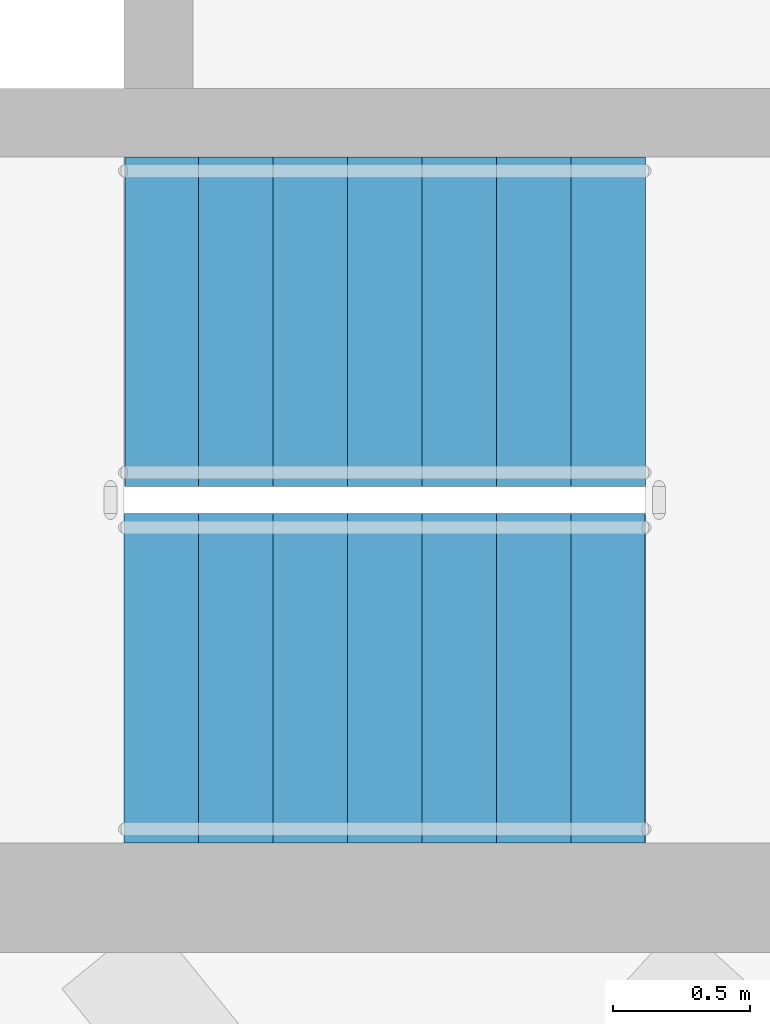
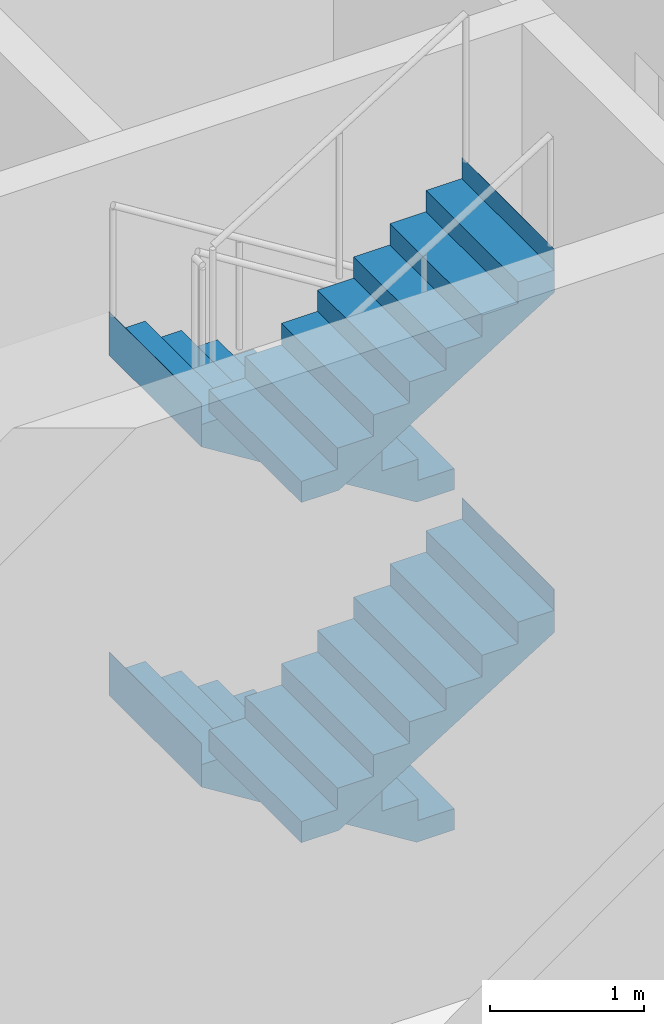
# One storey, part 9 of 16: 4 stair flights, 1 element without a shape of its own.
"""IFC4 building model written with IfcOpenShell, lengths in metres."""

from ifc_helpers import new_model, si_unit, direction, frame, origin, place, context, subcontext, project, spatial, triangles, material, type_object, element, aggregate, save


model = new_model("IFC4")

# Units and contexts
model_context = context("Model", 3, precision=1e-05, world=origin(), true_north=direction((0.0, 1.0)))
body_context = subcontext(model_context, "Body", "Model", "MODEL_VIEW")
ifc_project = project(units=[si_unit("LENGTHUNIT", "METRE"), si_unit("AREAUNIT", "SQUARE_METRE"), si_unit("VOLUMEUNIT", "CUBIC_METRE"), si_unit("PLANEANGLEUNIT", "RADIAN"), si_unit("MASSUNIT", "GRAM", prefix="KILO")], contexts=[model_context])

# Site, building, storey
site_placement = place(None, origin())
site = spatial("IfcSite", under=ifc_project, at=site_placement, CompositionType="ELEMENT")
building_placement = place(site_placement, origin())
building = spatial("IfcBuilding", under=site, at=building_placement, Name="Sahrelin Media Tower", CompositionType="ELEMENT")
storey_placement = place(building_placement, frame((0.0, 0.0, 299.0)))
storey = spatial("IfcBuildingStorey", under=building, at=storey_placement, Name="L66", CompositionType="ELEMENT", Elevation=299.0)

# Stair, stair flights
ifc_material = material(Name="Concrete C40/50", Category="concrete")
stair_type = type_object("IfcStairType", Name="Exit stair 1200", PredefinedType="HALF_TURN_STAIR", material=ifc_material)
stair_placement = place(storey_placement, origin())
stair = element("IfcStair", 1, at=stair_placement, inside=storey, type_object=stair_type, Name="L66 Exit stair ST2", PredefinedType="HALF_TURN_STAIR")
stair_flight_type = type_object("IfcStairFlightType", Name="Stair flight 1200", PredefinedType="STRAIGHT", material=ifc_material)
stair_flight_1_placement = place(storey_placement, frame((7.675048828125, -4.699951171875, 0.0), z_axis=(0.0, 0.0, 1.0), x_axis=(-1.0, 0.0, 0.0)))
stair_flight_1 = element("IfcStairFlight", 2, at=stair_flight_1_placement, type_object=stair_flight_type, Name="ST2 flight 1", NumberOfRisers=8, NumberOfTreads=7, PredefinedType="STRAIGHT", RiserHeight=0.16875, TreadLength=0.271428571, context=body_context, shape_type="Tessellation", body=[
    triangles([(0.283935546875, 0.60009765625, 0.0), (0.283935546875, 0.300048828125, 0.0), (0.283935546875, 0.0, 0.0), (0.283935546875, -0.300048828125, 0.0), (0.283935546875, -0.60009765625, 0.0), (1.89990234375, 0.60009765625, 1.004638671875), (1.89990234375, 0.300048828125, 1.004638671875), (1.89990234375, 0.0, 1.004638671875), (1.89990234375, -0.300048828125, 1.004638671875), (1.89990234375, -0.60009765625, 1.004638671875), (1.89990234375, 0.60009765625, 1.35009765625), (1.89990234375, 0.300048828125, 1.35009765625), (1.89990234375, 0.0, 1.35009765625), (1.89990234375, -0.300048828125, 1.35009765625), (1.89990234375, -0.60009765625, 1.35009765625), (1.89794921875, 0.60009765625, 1.35009765625), (1.89794921875, 0.300048828125, 1.35009765625), (1.89794921875, 0.0, 1.35009765625), (1.89794921875, -0.300048828125, 1.35009765625), (1.89794921875, -0.60009765625, 1.35009765625), (1.89794921875, 0.60009765625, 1.18115234375), (1.89794921875, 0.300048828125, 1.18115234375), (1.89794921875, 0.0, 1.18115234375), (1.89794921875, -0.300048828125, 1.18115234375), (1.89794921875, -0.60009765625, 1.18115234375), (1.628662109375, 0.60009765625, 1.18115234375), (1.628662109375, 0.300048828125, 1.18115234375), (1.628662109375, 0.0, 1.18115234375), (1.628662109375, -0.300048828125, 1.18115234375), (1.628662109375, -0.60009765625, 1.18115234375), (1.628662109375, 0.60009765625, 1.012451171875), (1.628662109375, 0.300048828125, 1.012451171875), (1.628662109375, 0.0, 1.012451171875), (1.628662109375, -0.300048828125, 1.012451171875), (1.628662109375, -0.60009765625, 1.012451171875), (1.357177734375, 0.60009765625, 1.012451171875), (1.357177734375, 0.300048828125, 1.012451171875), (1.357177734375, 0.0, 1.012451171875), (1.357177734375, -0.300048828125, 1.012451171875), (1.357177734375, -0.60009765625, 1.012451171875), (1.357177734375, 0.60009765625, 0.84375), (1.357177734375, 0.300048828125, 0.84375), (1.357177734375, 0.0, 0.84375), (1.357177734375, -0.300048828125, 0.84375), (1.357177734375, -0.60009765625, 0.84375), (1.085693359375, 0.60009765625, 0.84375), (1.085693359375, 0.300048828125, 0.84375), (1.085693359375, 0.0, 0.84375), (1.085693359375, -0.300048828125, 0.84375), (1.085693359375, -0.60009765625, 0.84375), (1.085693359375, 0.60009765625, 0.675048828125), (1.085693359375, 0.300048828125, 0.675048828125), (1.085693359375, 0.0, 0.675048828125), (1.085693359375, -0.300048828125, 0.675048828125), (1.085693359375, -0.60009765625, 0.675048828125), (0.814208984375, 0.60009765625, 0.675048828125), (0.814208984375, 0.300048828125, 0.675048828125), (0.814208984375, 0.0, 0.675048828125), (0.814208984375, -0.300048828125, 0.675048828125), (0.814208984375, -0.60009765625, 0.675048828125), (0.814208984375, 0.60009765625, 0.50634765625), (0.814208984375, 0.300048828125, 0.50634765625), (0.814208984375, 0.0, 0.50634765625), (0.814208984375, -0.300048828125, 0.50634765625), (0.814208984375, -0.60009765625, 0.50634765625), (0.54296875, 0.60009765625, 0.50634765625), (0.54296875, 0.300048828125, 0.50634765625), (0.54296875, 0.0, 0.50634765625), (0.54296875, -0.300048828125, 0.50634765625), (0.54296875, -0.60009765625, 0.50634765625), (0.54296875, 0.60009765625, 0.33740234375), (0.54296875, 0.300048828125, 0.33740234375), (0.54296875, 0.0, 0.33740234375), (0.54296875, -0.300048828125, 0.33740234375), (0.54296875, -0.60009765625, 0.33740234375), (0.271484375, 0.60009765625, 0.33740234375), (0.271484375, 0.300048828125, 0.33740234375), (0.271484375, 0.0, 0.33740234375), (0.271484375, -0.300048828125, 0.33740234375), (0.271484375, -0.60009765625, 0.33740234375), (0.271484375, 0.60009765625, 0.168701171875), (0.271484375, 0.300048828125, 0.168701171875), (0.271484375, 0.0, 0.168701171875), (0.271484375, -0.300048828125, 0.168701171875), (0.271484375, -0.60009765625, 0.168701171875), (0.0, 0.60009765625, 0.168701171875), (0.0, 0.300048828125, 0.168701171875), (0.0, 0.0, 0.168701171875), (0.0, -0.300048828125, 0.168701171875), (0.0, -0.60009765625, 0.168701171875), (0.0, 0.60009765625, 0.0), (0.0, 0.300048828125, 0.0), (0.0, 0.0, 0.0), (0.0, -0.300048828125, 0.0), (0.0, -0.60009765625, 0.0)], [[1, 6, 7], [1, 7, 2], [2, 7, 8], [2, 8, 3], [3, 8, 9], [3, 9, 4], [4, 9, 10], [4, 10, 5], [6, 11, 12], [6, 12, 7], [7, 12, 13], [7, 13, 8], [8, 13, 14], [8, 14, 9], [9, 14, 15], [9, 15, 10], [11, 16, 17], [11, 17, 12], [12, 17, 18], [12, 18, 13], [13, 18, 19], [13, 19, 14], [14, 19, 20], [14, 20, 15], [16, 21, 22], [16, 22, 17], [17, 22, 23], [17, 23, 18], [18, 23, 24], [18, 24, 19], [19, 24, 25], [19, 25, 20], [21, 26, 27], [21, 27, 22], [22, 27, 28], [22, 28, 23], [23, 28, 29], [23, 29, 24], [24, 29, 30], [24, 30, 25], [26, 31, 32], [26, 32, 27], [27, 32, 33], [27, 33, 28], [28, 33, 34], [28, 34, 29], [29, 34, 35], [29, 35, 30], [31, 36, 37], [31, 37, 32], [32, 37, 38], [32, 38, 33], [33, 38, 39], [33, 39, 34], [34, 39, 40], [34, 40, 35], [36, 41, 42], [36, 42, 37], [37, 42, 43], [37, 43, 38], [38, 43, 44], [38, 44, 39], [39, 44, 45], [39, 45, 40], [41, 46, 47], [41, 47, 42], [42, 47, 48], [42, 48, 43], [43, 48, 49], [43, 49, 44], [44, 49, 50], [44, 50, 45], [46, 51, 52], [46, 52, 47], [47, 52, 53], [47, 53, 48], [48, 53, 54], [48, 54, 49], [49, 54, 55], [49, 55, 50], [51, 56, 57], [51, 57, 52], [52, 57, 58], [52, 58, 53], [53, 58, 59], [53, 59, 54], [54, 59, 60], [54, 60, 55], [56, 61, 62], [56, 62, 57], [57, 62, 63], [57, 63, 58], [58, 63, 64], [58, 64, 59], [59, 64, 65], [59, 65, 60], [61, 66, 67], [61, 67, 62], [62, 67, 68], [62, 68, 63], [63, 68, 69], [63, 69, 64], [64, 69, 70], [64, 70, 65], [66, 71, 72], [66, 72, 67], [67, 72, 73], [67, 73, 68], [68, 73, 74], [68, 74, 69], [69, 74, 75], [69, 75, 70], [71, 76, 77], [71, 77, 72], [72, 77, 78], [72, 78, 73], [73, 78, 79], [73, 79, 74], [74, 79, 80], [74, 80, 75], [76, 81, 82], [76, 82, 77], [77, 82, 83], [77, 83, 78], [78, 83, 84], [78, 84, 79], [79, 84, 85], [79, 85, 80], [81, 86, 87], [81, 87, 82], [82, 87, 88], [82, 88, 83], [83, 88, 89], [83, 89, 84], [84, 89, 90], [84, 90, 85], [86, 91, 92], [86, 92, 87], [87, 92, 93], [87, 93, 88], [88, 93, 94], [88, 94, 89], [89, 94, 95], [89, 95, 90], [91, 1, 2], [91, 2, 92], [92, 2, 3], [92, 3, 93], [93, 3, 4], [93, 4, 94], [94, 4, 5], [94, 5, 95], [85, 90, 95], [81, 91, 86], [85, 75, 80], [81, 76, 71], [75, 65, 70], [71, 66, 61], [65, 55, 60], [61, 56, 51], [55, 45, 50], [51, 46, 41], [45, 35, 40], [41, 36, 31], [35, 25, 30], [31, 26, 21], [25, 15, 20], [21, 16, 11], [95, 5, 85], [91, 81, 1], [5, 55, 65], [1, 61, 51], [25, 10, 15], [21, 11, 6], [75, 85, 5], [71, 1, 81], [10, 45, 55], [6, 51, 41], [35, 10, 25], [31, 21, 6], [65, 75, 5], [61, 1, 71], [45, 10, 35], [41, 31, 6], [5, 10, 55], [1, 51, 6]], closed=True),
])
stair_flight_2_placement = place(storey_placement, frame((5.77490234375, -6.0, 1.35009765625), z_axis=(0.0, 0.0, 1.0), x_axis=(1.0, 0.0, 0.0)))
stair_flight_2 = element("IfcStairFlight", 3, at=stair_flight_2_placement, type_object=stair_flight_type, Name="ST2 flight 2", NumberOfRisers=8, NumberOfTreads=7, PredefinedType="STRAIGHT", RiserHeight=0.16875, TreadLength=0.271428571, context=body_context, shape_type="Tessellation", body=[
    triangles([(0.283935546875, 0.60009765625, 0.0), (0.283935546875, 0.300048828125, 0.0), (0.283935546875, 0.0, 0.0), (0.283935546875, -0.300048828125, 0.0), (0.283935546875, -0.60009765625, 0.0), (1.89990234375, 0.60009765625, 1.004638671875), (1.89990234375, 0.300048828125, 1.004638671875), (1.89990234375, 0.0, 1.004638671875), (1.89990234375, -0.300048828125, 1.004638671875), (1.89990234375, -0.60009765625, 1.004638671875), (1.89990234375, 0.60009765625, 1.35009765625), (1.89990234375, 0.300048828125, 1.35009765625), (1.89990234375, 0.0, 1.35009765625), (1.89990234375, -0.300048828125, 1.35009765625), (1.89990234375, -0.60009765625, 1.35009765625), (1.89794921875, 0.60009765625, 1.35009765625), (1.89794921875, 0.300048828125, 1.35009765625), (1.89794921875, 0.0, 1.35009765625), (1.89794921875, -0.300048828125, 1.35009765625), (1.89794921875, -0.60009765625, 1.35009765625), (1.89794921875, 0.60009765625, 1.18115234375), (1.89794921875, 0.300048828125, 1.18115234375), (1.89794921875, 0.0, 1.18115234375), (1.89794921875, -0.300048828125, 1.18115234375), (1.89794921875, -0.60009765625, 1.18115234375), (1.628662109375, 0.60009765625, 1.18115234375), (1.628662109375, 0.300048828125, 1.18115234375), (1.628662109375, 0.0, 1.18115234375), (1.628662109375, -0.300048828125, 1.18115234375), (1.628662109375, -0.60009765625, 1.18115234375), (1.628662109375, 0.60009765625, 1.012451171875), (1.628662109375, 0.300048828125, 1.012451171875), (1.628662109375, 0.0, 1.012451171875), (1.628662109375, -0.300048828125, 1.012451171875), (1.628662109375, -0.60009765625, 1.012451171875), (1.357177734375, 0.60009765625, 1.012451171875), (1.357177734375, 0.300048828125, 1.012451171875), (1.357177734375, 0.0, 1.012451171875), (1.357177734375, -0.300048828125, 1.012451171875), (1.357177734375, -0.60009765625, 1.012451171875), (1.357177734375, 0.60009765625, 0.84375), (1.357177734375, 0.300048828125, 0.84375), (1.357177734375, 0.0, 0.84375), (1.357177734375, -0.300048828125, 0.84375), (1.357177734375, -0.60009765625, 0.84375), (1.085693359375, 0.60009765625, 0.84375), (1.085693359375, 0.300048828125, 0.84375), (1.085693359375, 0.0, 0.84375), (1.085693359375, -0.300048828125, 0.84375), (1.085693359375, -0.60009765625, 0.84375), (1.085693359375, 0.60009765625, 0.675048828125), (1.085693359375, 0.300048828125, 0.675048828125), (1.085693359375, 0.0, 0.675048828125), (1.085693359375, -0.300048828125, 0.675048828125), (1.085693359375, -0.60009765625, 0.675048828125), (0.814208984375, 0.60009765625, 0.675048828125), (0.814208984375, 0.300048828125, 0.675048828125), (0.814208984375, 0.0, 0.675048828125), (0.814208984375, -0.300048828125, 0.675048828125), (0.814208984375, -0.60009765625, 0.675048828125), (0.814208984375, 0.60009765625, 0.50634765625), (0.814208984375, 0.300048828125, 0.50634765625), (0.814208984375, 0.0, 0.50634765625), (0.814208984375, -0.300048828125, 0.50634765625), (0.814208984375, -0.60009765625, 0.50634765625), (0.54296875, 0.60009765625, 0.50634765625), (0.54296875, 0.300048828125, 0.50634765625), (0.54296875, 0.0, 0.50634765625), (0.54296875, -0.300048828125, 0.50634765625), (0.54296875, -0.60009765625, 0.50634765625), (0.54296875, 0.60009765625, 0.33740234375), (0.54296875, 0.300048828125, 0.33740234375), (0.54296875, 0.0, 0.33740234375), (0.54296875, -0.300048828125, 0.33740234375), (0.54296875, -0.60009765625, 0.33740234375), (0.271484375, 0.60009765625, 0.33740234375), (0.271484375, 0.300048828125, 0.33740234375), (0.271484375, 0.0, 0.33740234375), (0.271484375, -0.300048828125, 0.33740234375), (0.271484375, -0.60009765625, 0.33740234375), (0.271484375, 0.60009765625, 0.168701171875), (0.271484375, 0.300048828125, 0.168701171875), (0.271484375, 0.0, 0.168701171875), (0.271484375, -0.300048828125, 0.168701171875), (0.271484375, -0.60009765625, 0.168701171875), (0.0, 0.60009765625, 0.168701171875), (0.0, 0.300048828125, 0.168701171875), (0.0, 0.0, 0.168701171875), (0.0, -0.300048828125, 0.168701171875), (0.0, -0.60009765625, 0.168701171875), (0.0, 0.60009765625, 0.0), (0.0, 0.300048828125, 0.0), (0.0, 0.0, 0.0), (0.0, -0.300048828125, 0.0), (0.0, -0.60009765625, 0.0)], [[1, 6, 7], [1, 7, 2], [2, 7, 8], [2, 8, 3], [3, 8, 9], [3, 9, 4], [4, 9, 10], [4, 10, 5], [6, 11, 12], [6, 12, 7], [7, 12, 13], [7, 13, 8], [8, 13, 14], [8, 14, 9], [9, 14, 15], [9, 15, 10], [11, 16, 17], [11, 17, 12], [12, 17, 18], [12, 18, 13], [13, 18, 19], [13, 19, 14], [14, 19, 20], [14, 20, 15], [16, 21, 22], [16, 22, 17], [17, 22, 23], [17, 23, 18], [18, 23, 24], [18, 24, 19], [19, 24, 25], [19, 25, 20], [21, 26, 27], [21, 27, 22], [22, 27, 28], [22, 28, 23], [23, 28, 29], [23, 29, 24], [24, 29, 30], [24, 30, 25], [26, 31, 32], [26, 32, 27], [27, 32, 33], [27, 33, 28], [28, 33, 34], [28, 34, 29], [29, 34, 35], [29, 35, 30], [31, 36, 37], [31, 37, 32], [32, 37, 38], [32, 38, 33], [33, 38, 39], [33, 39, 34], [34, 39, 40], [34, 40, 35], [36, 41, 42], [36, 42, 37], [37, 42, 43], [37, 43, 38], [38, 43, 44], [38, 44, 39], [39, 44, 45], [39, 45, 40], [41, 46, 47], [41, 47, 42], [42, 47, 48], [42, 48, 43], [43, 48, 49], [43, 49, 44], [44, 49, 50], [44, 50, 45], [46, 51, 52], [46, 52, 47], [47, 52, 53], [47, 53, 48], [48, 53, 54], [48, 54, 49], [49, 54, 55], [49, 55, 50], [51, 56, 57], [51, 57, 52], [52, 57, 58], [52, 58, 53], [53, 58, 59], [53, 59, 54], [54, 59, 60], [54, 60, 55], [56, 61, 62], [56, 62, 57], [57, 62, 63], [57, 63, 58], [58, 63, 64], [58, 64, 59], [59, 64, 65], [59, 65, 60], [61, 66, 67], [61, 67, 62], [62, 67, 68], [62, 68, 63], [63, 68, 69], [63, 69, 64], [64, 69, 70], [64, 70, 65], [66, 71, 72], [66, 72, 67], [67, 72, 73], [67, 73, 68], [68, 73, 74], [68, 74, 69], [69, 74, 75], [69, 75, 70], [71, 76, 77], [71, 77, 72], [72, 77, 78], [72, 78, 73], [73, 78, 79], [73, 79, 74], [74, 79, 80], [74, 80, 75], [76, 81, 82], [76, 82, 77], [77, 82, 83], [77, 83, 78], [78, 83, 84], [78, 84, 79], [79, 84, 85], [79, 85, 80], [81, 86, 87], [81, 87, 82], [82, 87, 88], [82, 88, 83], [83, 88, 89], [83, 89, 84], [84, 89, 90], [84, 90, 85], [86, 91, 92], [86, 92, 87], [87, 92, 93], [87, 93, 88], [88, 93, 94], [88, 94, 89], [89, 94, 95], [89, 95, 90], [91, 1, 2], [91, 2, 92], [92, 2, 3], [92, 3, 93], [93, 3, 4], [93, 4, 94], [94, 4, 5], [94, 5, 95], [85, 90, 95], [81, 91, 86], [85, 75, 80], [81, 76, 71], [75, 65, 70], [71, 66, 61], [65, 55, 60], [61, 56, 51], [55, 45, 50], [51, 46, 41], [45, 35, 40], [41, 36, 31], [35, 25, 30], [31, 26, 21], [25, 15, 20], [21, 16, 11], [95, 5, 85], [91, 81, 1], [5, 55, 65], [1, 61, 51], [25, 10, 15], [21, 11, 6], [75, 85, 5], [71, 1, 81], [10, 45, 55], [6, 51, 41], [35, 10, 25], [31, 21, 6], [65, 75, 5], [61, 1, 71], [45, 10, 35], [41, 31, 6], [5, 10, 55], [1, 51, 6]], closed=True),
])
stair_flight_3_placement = place(storey_placement, frame((7.675048828125, -4.699951171875, 2.699951171875), z_axis=(0.0, 0.0, 1.0), x_axis=(-1.0, 0.0, 0.0)))
stair_flight_3 = element("IfcStairFlight", 4, at=stair_flight_3_placement, type_object=stair_flight_type, Name="ST2 flight 3", NumberOfRisers=8, NumberOfTreads=7, PredefinedType="STRAIGHT", RiserHeight=0.16875, TreadLength=0.271428571, context=body_context, shape_type="Tessellation", body=[
    triangles([(0.283935546875, 0.60009765625, 0.0), (0.283935546875, 0.300048828125, 0.0), (0.283935546875, 0.0, 0.0), (0.283935546875, -0.300048828125, 0.0), (0.283935546875, -0.60009765625, 0.0), (1.89990234375, 0.60009765625, 1.004638671875), (1.89990234375, 0.300048828125, 1.004638671875), (1.89990234375, 0.0, 1.004638671875), (1.89990234375, -0.300048828125, 1.004638671875), (1.89990234375, -0.60009765625, 1.004638671875), (1.89990234375, 0.60009765625, 1.35009765625), (1.89990234375, 0.300048828125, 1.35009765625), (1.89990234375, 0.0, 1.35009765625), (1.89990234375, -0.300048828125, 1.35009765625), (1.89990234375, -0.60009765625, 1.35009765625), (1.89794921875, 0.60009765625, 1.35009765625), (1.89794921875, 0.300048828125, 1.35009765625), (1.89794921875, 0.0, 1.35009765625), (1.89794921875, -0.300048828125, 1.35009765625), (1.89794921875, -0.60009765625, 1.35009765625), (1.89794921875, 0.60009765625, 1.18115234375), (1.89794921875, 0.300048828125, 1.18115234375), (1.89794921875, 0.0, 1.18115234375), (1.89794921875, -0.300048828125, 1.18115234375), (1.89794921875, -0.60009765625, 1.18115234375), (1.628662109375, 0.60009765625, 1.18115234375), (1.628662109375, 0.300048828125, 1.18115234375), (1.628662109375, 0.0, 1.18115234375), (1.628662109375, -0.300048828125, 1.18115234375), (1.628662109375, -0.60009765625, 1.18115234375), (1.628662109375, 0.60009765625, 1.012451171875), (1.628662109375, 0.300048828125, 1.012451171875), (1.628662109375, 0.0, 1.012451171875), (1.628662109375, -0.300048828125, 1.012451171875), (1.628662109375, -0.60009765625, 1.012451171875), (1.357177734375, 0.60009765625, 1.012451171875), (1.357177734375, 0.300048828125, 1.012451171875), (1.357177734375, 0.0, 1.012451171875), (1.357177734375, -0.300048828125, 1.012451171875), (1.357177734375, -0.60009765625, 1.012451171875), (1.357177734375, 0.60009765625, 0.84375), (1.357177734375, 0.300048828125, 0.84375), (1.357177734375, 0.0, 0.84375), (1.357177734375, -0.300048828125, 0.84375), (1.357177734375, -0.60009765625, 0.84375), (1.085693359375, 0.60009765625, 0.84375), (1.085693359375, 0.300048828125, 0.84375), (1.085693359375, 0.0, 0.84375), (1.085693359375, -0.300048828125, 0.84375), (1.085693359375, -0.60009765625, 0.84375), (1.085693359375, 0.60009765625, 0.675048828125), (1.085693359375, 0.300048828125, 0.675048828125), (1.085693359375, 0.0, 0.675048828125), (1.085693359375, -0.300048828125, 0.675048828125), (1.085693359375, -0.60009765625, 0.675048828125), (0.814208984375, 0.60009765625, 0.675048828125), (0.814208984375, 0.300048828125, 0.675048828125), (0.814208984375, 0.0, 0.675048828125), (0.814208984375, -0.300048828125, 0.675048828125), (0.814208984375, -0.60009765625, 0.675048828125), (0.814208984375, 0.60009765625, 0.50634765625), (0.814208984375, 0.300048828125, 0.50634765625), (0.814208984375, 0.0, 0.50634765625), (0.814208984375, -0.300048828125, 0.50634765625), (0.814208984375, -0.60009765625, 0.50634765625), (0.54296875, 0.60009765625, 0.50634765625), (0.54296875, 0.300048828125, 0.50634765625), (0.54296875, 0.0, 0.50634765625), (0.54296875, -0.300048828125, 0.50634765625), (0.54296875, -0.60009765625, 0.50634765625), (0.54296875, 0.60009765625, 0.33740234375), (0.54296875, 0.300048828125, 0.33740234375), (0.54296875, 0.0, 0.33740234375), (0.54296875, -0.300048828125, 0.33740234375), (0.54296875, -0.60009765625, 0.33740234375), (0.271484375, 0.60009765625, 0.33740234375), (0.271484375, 0.300048828125, 0.33740234375), (0.271484375, 0.0, 0.33740234375), (0.271484375, -0.300048828125, 0.33740234375), (0.271484375, -0.60009765625, 0.33740234375), (0.271484375, 0.60009765625, 0.168701171875), (0.271484375, 0.300048828125, 0.168701171875), (0.271484375, 0.0, 0.168701171875), (0.271484375, -0.300048828125, 0.168701171875), (0.271484375, -0.60009765625, 0.168701171875), (0.0, 0.60009765625, 0.168701171875), (0.0, 0.300048828125, 0.168701171875), (0.0, 0.0, 0.168701171875), (0.0, -0.300048828125, 0.168701171875), (0.0, -0.60009765625, 0.168701171875), (0.0, 0.60009765625, 0.0), (0.0, 0.300048828125, 0.0), (0.0, 0.0, 0.0), (0.0, -0.300048828125, 0.0), (0.0, -0.60009765625, 0.0)], [[1, 6, 7], [1, 7, 2], [2, 7, 8], [2, 8, 3], [3, 8, 9], [3, 9, 4], [4, 9, 10], [4, 10, 5], [6, 11, 12], [6, 12, 7], [7, 12, 13], [7, 13, 8], [8, 13, 14], [8, 14, 9], [9, 14, 15], [9, 15, 10], [11, 16, 17], [11, 17, 12], [12, 17, 18], [12, 18, 13], [13, 18, 19], [13, 19, 14], [14, 19, 20], [14, 20, 15], [16, 21, 22], [16, 22, 17], [17, 22, 23], [17, 23, 18], [18, 23, 24], [18, 24, 19], [19, 24, 25], [19, 25, 20], [21, 26, 27], [21, 27, 22], [22, 27, 28], [22, 28, 23], [23, 28, 29], [23, 29, 24], [24, 29, 30], [24, 30, 25], [26, 31, 32], [26, 32, 27], [27, 32, 33], [27, 33, 28], [28, 33, 34], [28, 34, 29], [29, 34, 35], [29, 35, 30], [31, 36, 37], [31, 37, 32], [32, 37, 38], [32, 38, 33], [33, 38, 39], [33, 39, 34], [34, 39, 40], [34, 40, 35], [36, 41, 42], [36, 42, 37], [37, 42, 43], [37, 43, 38], [38, 43, 44], [38, 44, 39], [39, 44, 45], [39, 45, 40], [41, 46, 47], [41, 47, 42], [42, 47, 48], [42, 48, 43], [43, 48, 49], [43, 49, 44], [44, 49, 50], [44, 50, 45], [46, 51, 52], [46, 52, 47], [47, 52, 53], [47, 53, 48], [48, 53, 54], [48, 54, 49], [49, 54, 55], [49, 55, 50], [51, 56, 57], [51, 57, 52], [52, 57, 58], [52, 58, 53], [53, 58, 59], [53, 59, 54], [54, 59, 60], [54, 60, 55], [56, 61, 62], [56, 62, 57], [57, 62, 63], [57, 63, 58], [58, 63, 64], [58, 64, 59], [59, 64, 65], [59, 65, 60], [61, 66, 67], [61, 67, 62], [62, 67, 68], [62, 68, 63], [63, 68, 69], [63, 69, 64], [64, 69, 70], [64, 70, 65], [66, 71, 72], [66, 72, 67], [67, 72, 73], [67, 73, 68], [68, 73, 74], [68, 74, 69], [69, 74, 75], [69, 75, 70], [71, 76, 77], [71, 77, 72], [72, 77, 78], [72, 78, 73], [73, 78, 79], [73, 79, 74], [74, 79, 80], [74, 80, 75], [76, 81, 82], [76, 82, 77], [77, 82, 83], [77, 83, 78], [78, 83, 84], [78, 84, 79], [79, 84, 85], [79, 85, 80], [81, 86, 87], [81, 87, 82], [82, 87, 88], [82, 88, 83], [83, 88, 89], [83, 89, 84], [84, 89, 90], [84, 90, 85], [86, 91, 92], [86, 92, 87], [87, 92, 93], [87, 93, 88], [88, 93, 94], [88, 94, 89], [89, 94, 95], [89, 95, 90], [91, 1, 2], [91, 2, 92], [92, 2, 3], [92, 3, 93], [93, 3, 4], [93, 4, 94], [94, 4, 5], [94, 5, 95], [85, 90, 95], [81, 91, 86], [85, 75, 80], [81, 76, 71], [75, 65, 70], [71, 66, 61], [65, 55, 60], [61, 56, 51], [55, 45, 50], [51, 46, 41], [45, 35, 40], [41, 36, 31], [35, 25, 30], [31, 26, 21], [25, 15, 20], [21, 16, 11], [95, 5, 85], [91, 81, 1], [5, 55, 65], [1, 61, 51], [25, 10, 15], [21, 11, 6], [75, 85, 5], [71, 1, 81], [10, 45, 55], [6, 51, 41], [35, 10, 25], [31, 21, 6], [65, 75, 5], [61, 1, 71], [45, 10, 35], [41, 31, 6], [5, 10, 55], [1, 51, 6]], closed=True),
])
stair_flight_4_placement = place(storey_placement, frame((5.77490234375, -6.0, 4.050048828125), z_axis=(0.0, 0.0, 1.0), x_axis=(1.0, 0.0, 0.0)))
stair_flight_4 = element("IfcStairFlight", 5, at=stair_flight_4_placement, type_object=stair_flight_type, Name="ST2 flight 4", NumberOfRisers=8, NumberOfTreads=7, PredefinedType="STRAIGHT", RiserHeight=0.16875, TreadLength=0.271428571, context=body_context, shape_type="Tessellation", body=[
    triangles([(0.283935546875, 0.60009765625, 0.0), (0.283935546875, 0.300048828125, 0.0), (0.283935546875, 0.0, 0.0), (0.283935546875, -0.300048828125, 0.0), (0.283935546875, -0.60009765625, 0.0), (1.89990234375, 0.60009765625, 1.004638671875), (1.89990234375, 0.300048828125, 1.004638671875), (1.89990234375, 0.0, 1.004638671875), (1.89990234375, -0.300048828125, 1.004638671875), (1.89990234375, -0.60009765625, 1.004638671875), (1.89990234375, 0.60009765625, 1.35009765625), (1.89990234375, 0.300048828125, 1.35009765625), (1.89990234375, 0.0, 1.35009765625), (1.89990234375, -0.300048828125, 1.35009765625), (1.89990234375, -0.60009765625, 1.35009765625), (1.89794921875, 0.60009765625, 1.35009765625), (1.89794921875, 0.300048828125, 1.35009765625), (1.89794921875, 0.0, 1.35009765625), (1.89794921875, -0.300048828125, 1.35009765625), (1.89794921875, -0.60009765625, 1.35009765625), (1.89794921875, 0.60009765625, 1.18115234375), (1.89794921875, 0.300048828125, 1.18115234375), (1.89794921875, 0.0, 1.18115234375), (1.89794921875, -0.300048828125, 1.18115234375), (1.89794921875, -0.60009765625, 1.18115234375), (1.628662109375, 0.60009765625, 1.18115234375), (1.628662109375, 0.300048828125, 1.18115234375), (1.628662109375, 0.0, 1.18115234375), (1.628662109375, -0.300048828125, 1.18115234375), (1.628662109375, -0.60009765625, 1.18115234375), (1.628662109375, 0.60009765625, 1.012451171875), (1.628662109375, 0.300048828125, 1.012451171875), (1.628662109375, 0.0, 1.012451171875), (1.628662109375, -0.300048828125, 1.012451171875), (1.628662109375, -0.60009765625, 1.012451171875), (1.357177734375, 0.60009765625, 1.012451171875), (1.357177734375, 0.300048828125, 1.012451171875), (1.357177734375, 0.0, 1.012451171875), (1.357177734375, -0.300048828125, 1.012451171875), (1.357177734375, -0.60009765625, 1.012451171875), (1.357177734375, 0.60009765625, 0.84375), (1.357177734375, 0.300048828125, 0.84375), (1.357177734375, 0.0, 0.84375), (1.357177734375, -0.300048828125, 0.84375), (1.357177734375, -0.60009765625, 0.84375), (1.085693359375, 0.60009765625, 0.84375), (1.085693359375, 0.300048828125, 0.84375), (1.085693359375, 0.0, 0.84375), (1.085693359375, -0.300048828125, 0.84375), (1.085693359375, -0.60009765625, 0.84375), (1.085693359375, 0.60009765625, 0.675048828125), (1.085693359375, 0.300048828125, 0.675048828125), (1.085693359375, 0.0, 0.675048828125), (1.085693359375, -0.300048828125, 0.675048828125), (1.085693359375, -0.60009765625, 0.675048828125), (0.814208984375, 0.60009765625, 0.675048828125), (0.814208984375, 0.300048828125, 0.675048828125), (0.814208984375, 0.0, 0.675048828125), (0.814208984375, -0.300048828125, 0.675048828125), (0.814208984375, -0.60009765625, 0.675048828125), (0.814208984375, 0.60009765625, 0.50634765625), (0.814208984375, 0.300048828125, 0.50634765625), (0.814208984375, 0.0, 0.50634765625), (0.814208984375, -0.300048828125, 0.50634765625), (0.814208984375, -0.60009765625, 0.50634765625), (0.54296875, 0.60009765625, 0.50634765625), (0.54296875, 0.300048828125, 0.50634765625), (0.54296875, 0.0, 0.50634765625), (0.54296875, -0.300048828125, 0.50634765625), (0.54296875, -0.60009765625, 0.50634765625), (0.54296875, 0.60009765625, 0.33740234375), (0.54296875, 0.300048828125, 0.33740234375), (0.54296875, 0.0, 0.33740234375), (0.54296875, -0.300048828125, 0.33740234375), (0.54296875, -0.60009765625, 0.33740234375), (0.271484375, 0.60009765625, 0.33740234375), (0.271484375, 0.300048828125, 0.33740234375), (0.271484375, 0.0, 0.33740234375), (0.271484375, -0.300048828125, 0.33740234375), (0.271484375, -0.60009765625, 0.33740234375), (0.271484375, 0.60009765625, 0.168701171875), (0.271484375, 0.300048828125, 0.168701171875), (0.271484375, 0.0, 0.168701171875), (0.271484375, -0.300048828125, 0.168701171875), (0.271484375, -0.60009765625, 0.168701171875), (0.0, 0.60009765625, 0.168701171875), (0.0, 0.300048828125, 0.168701171875), (0.0, 0.0, 0.168701171875), (0.0, -0.300048828125, 0.168701171875), (0.0, -0.60009765625, 0.168701171875), (0.0, 0.60009765625, 0.0), (0.0, 0.300048828125, 0.0), (0.0, 0.0, 0.0), (0.0, -0.300048828125, 0.0), (0.0, -0.60009765625, 0.0)], [[1, 6, 7], [1, 7, 2], [2, 7, 8], [2, 8, 3], [3, 8, 9], [3, 9, 4], [4, 9, 10], [4, 10, 5], [6, 11, 12], [6, 12, 7], [7, 12, 13], [7, 13, 8], [8, 13, 14], [8, 14, 9], [9, 14, 15], [9, 15, 10], [11, 16, 17], [11, 17, 12], [12, 17, 18], [12, 18, 13], [13, 18, 19], [13, 19, 14], [14, 19, 20], [14, 20, 15], [16, 21, 22], [16, 22, 17], [17, 22, 23], [17, 23, 18], [18, 23, 24], [18, 24, 19], [19, 24, 25], [19, 25, 20], [21, 26, 27], [21, 27, 22], [22, 27, 28], [22, 28, 23], [23, 28, 29], [23, 29, 24], [24, 29, 30], [24, 30, 25], [26, 31, 32], [26, 32, 27], [27, 32, 33], [27, 33, 28], [28, 33, 34], [28, 34, 29], [29, 34, 35], [29, 35, 30], [31, 36, 37], [31, 37, 32], [32, 37, 38], [32, 38, 33], [33, 38, 39], [33, 39, 34], [34, 39, 40], [34, 40, 35], [36, 41, 42], [36, 42, 37], [37, 42, 43], [37, 43, 38], [38, 43, 44], [38, 44, 39], [39, 44, 45], [39, 45, 40], [41, 46, 47], [41, 47, 42], [42, 47, 48], [42, 48, 43], [43, 48, 49], [43, 49, 44], [44, 49, 50], [44, 50, 45], [46, 51, 52], [46, 52, 47], [47, 52, 53], [47, 53, 48], [48, 53, 54], [48, 54, 49], [49, 54, 55], [49, 55, 50], [51, 56, 57], [51, 57, 52], [52, 57, 58], [52, 58, 53], [53, 58, 59], [53, 59, 54], [54, 59, 60], [54, 60, 55], [56, 61, 62], [56, 62, 57], [57, 62, 63], [57, 63, 58], [58, 63, 64], [58, 64, 59], [59, 64, 65], [59, 65, 60], [61, 66, 67], [61, 67, 62], [62, 67, 68], [62, 68, 63], [63, 68, 69], [63, 69, 64], [64, 69, 70], [64, 70, 65], [66, 71, 72], [66, 72, 67], [67, 72, 73], [67, 73, 68], [68, 73, 74], [68, 74, 69], [69, 74, 75], [69, 75, 70], [71, 76, 77], [71, 77, 72], [72, 77, 78], [72, 78, 73], [73, 78, 79], [73, 79, 74], [74, 79, 80], [74, 80, 75], [76, 81, 82], [76, 82, 77], [77, 82, 83], [77, 83, 78], [78, 83, 84], [78, 84, 79], [79, 84, 85], [79, 85, 80], [81, 86, 87], [81, 87, 82], [82, 87, 88], [82, 88, 83], [83, 88, 89], [83, 89, 84], [84, 89, 90], [84, 90, 85], [86, 91, 92], [86, 92, 87], [87, 92, 93], [87, 93, 88], [88, 93, 94], [88, 94, 89], [89, 94, 95], [89, 95, 90], [91, 1, 2], [91, 2, 92], [92, 2, 3], [92, 3, 93], [93, 3, 4], [93, 4, 94], [94, 4, 5], [94, 5, 95], [85, 90, 95], [81, 91, 86], [85, 75, 80], [81, 76, 71], [75, 65, 70], [71, 66, 61], [65, 55, 60], [61, 56, 51], [55, 45, 50], [51, 46, 41], [45, 35, 40], [41, 36, 31], [35, 25, 30], [31, 26, 21], [25, 15, 20], [21, 16, 11], [95, 5, 85], [91, 81, 1], [5, 55, 65], [1, 61, 51], [25, 10, 15], [21, 11, 6], [75, 85, 5], [71, 1, 81], [10, 45, 55], [6, 51, 41], [35, 10, 25], [31, 21, 6], [65, 75, 5], [61, 1, 71], [45, 10, 35], [41, 31, 6], [5, 10, 55], [1, 51, 6]], closed=True),
])
aggregate(stair, [stair_flight_1, stair_flight_2, stair_flight_3, stair_flight_4])

save(model, "model.ifc")
